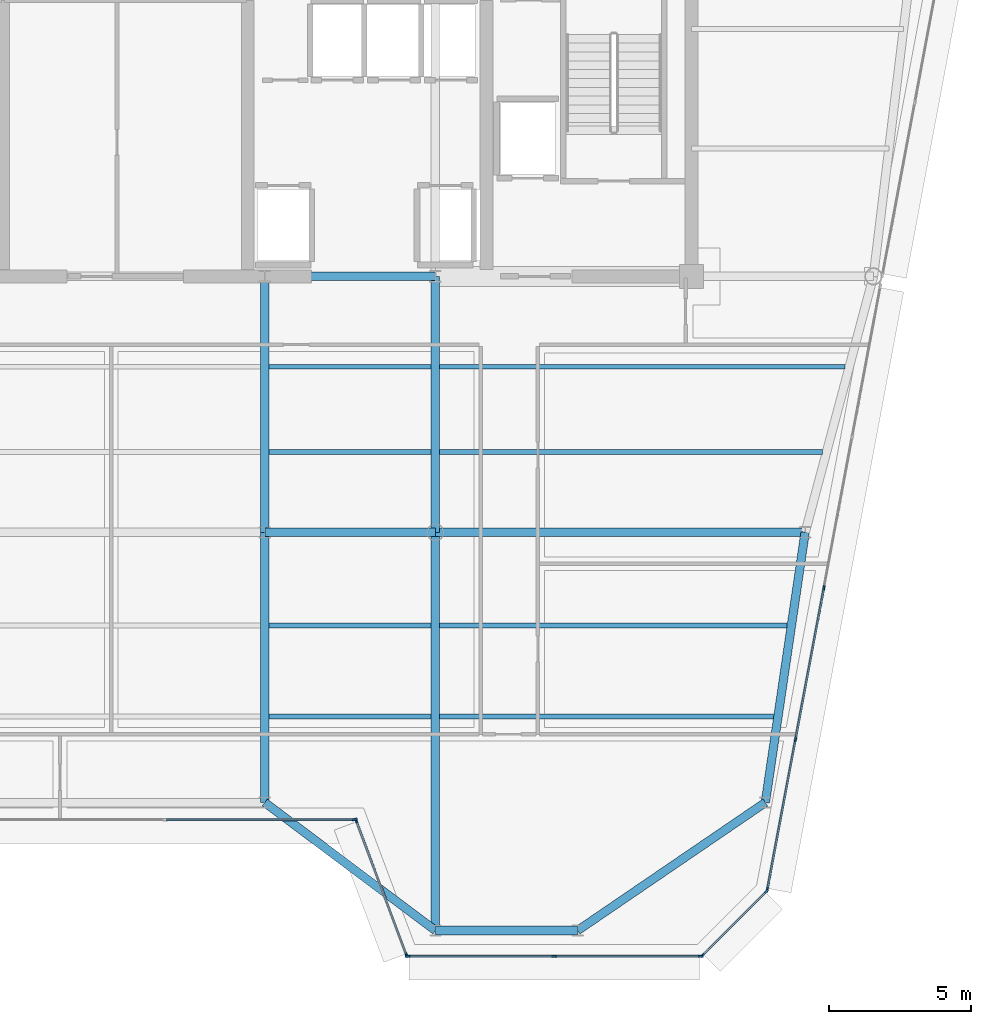
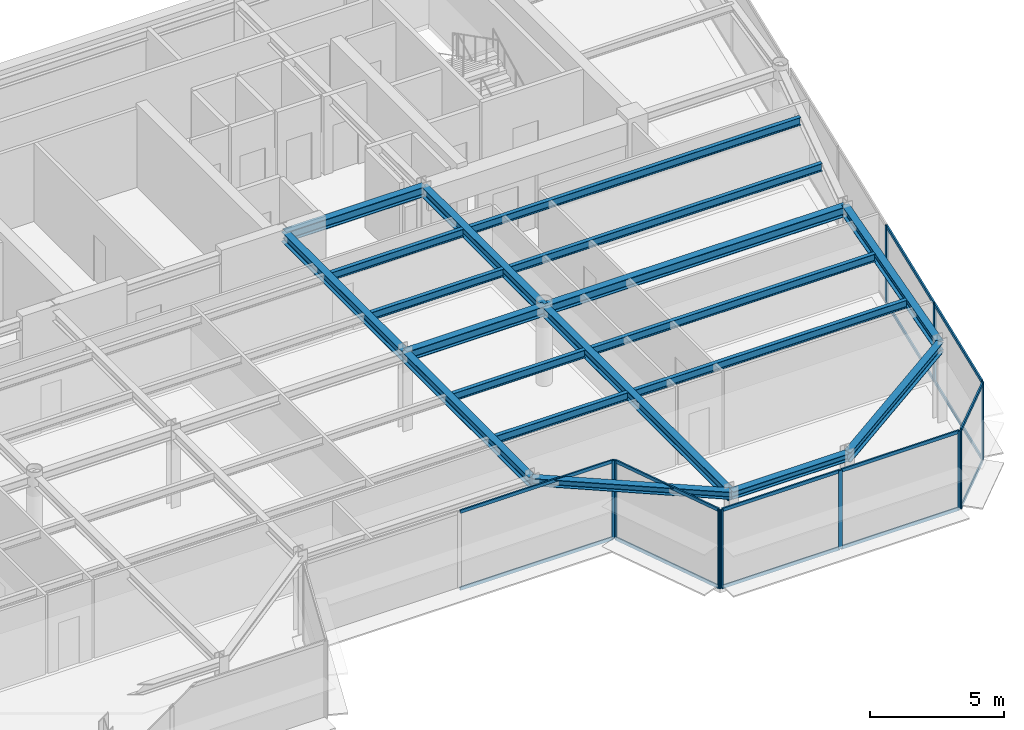
# One storey, part 6 of 20: 25 members, 19 beams, 5 elements without a shape of their own.
"""IFC4 building model written with IfcOpenShell, lengths in metres."""

from ifc_helpers import new_model, si_unit, direction, frame, origin, origin_2d, place, context, subcontext, project, spatial, rectangle, i_section, extrude, source, transform, mapped, material, layer, layer_set, material_profile, profile_set, type_object, element, aggregate, save


model = new_model("IFC4")

# Units and contexts
model_context = context("Model", 3, precision=1e-05, world=origin(), true_north=direction((0.0, 1.0)))
body_context = subcontext(model_context, "Body", "Model", "MODEL_VIEW")
ifc_project = project(units=[si_unit("LENGTHUNIT", "METRE"), si_unit("AREAUNIT", "SQUARE_METRE"), si_unit("VOLUMEUNIT", "CUBIC_METRE"), si_unit("PLANEANGLEUNIT", "RADIAN"), si_unit("MASSUNIT", "GRAM", prefix="KILO")], contexts=[model_context])

# Site, building, storey
site_placement = place(None, origin())
site = spatial("IfcSite", under=ifc_project, at=site_placement, CompositionType="ELEMENT")
building_placement = place(site_placement, origin())
building = spatial("IfcBuilding", under=site, at=building_placement, Name="Vaeldorn Concourse Tower", CompositionType="ELEMENT")
storey_placement = place(building_placement, frame((0.0, 0.0, 284.0)))
storey = spatial("IfcBuildingStorey", under=building, at=storey_placement, Name="L73", CompositionType="ELEMENT", Elevation=284.0)

# Beams
ifc_material_1 = material(Name="Steel S355", Category="steel")
ifc_material_profile_1 = material_profile(ifc_material_1, i_section(OverallWidth=0.300048828125, OverallDepth=0.449951171875, WebThickness=0.013916015625, FlangeThickness=0.02587890625, FilletRadius=0.027099609375, at=origin_2d()), Name="HEB 450")
ifc_profile_set_1 = profile_set([ifc_material_profile_1], Name="Steel S355")
beam_type_1 = type_object("IfcBeamType", Name="BM-PG-HEB450", PredefinedType="BEAM", material=ifc_profile_set_1)
shared_shape_1 = source(origin(), body_context, "Body", "SweptSolid", [
    extrude(i_section(OverallWidth=0.300048828125, OverallDepth=0.449951171875, WebThickness=0.013916015625, FlangeThickness=0.02587890625, FilletRadius=0.027099609375, at=origin_2d()), origin(), (0.0, 0.0, 1.0), 6.0),
])
for number, where, z_axis, x_axis, name in (
    (1, (39.0, 36.5, 3.35498046875), (1.0, 0.0, 0.0), (0.0, 1.0, 0.0), "Beam BM-L73-C-FC4-C-FC5"),
    (2, (39.0, 27.5, 3.35498046875), (1.0, 0.0, 0.0), (0.0, 1.0, 0.0), "Beam BM-L73-C-TW3-C-TW4"),
):
    element("IfcBeam", number, at=place(storey_placement, frame(where, z_axis=z_axis, x_axis=x_axis)), inside=storey, type_object=beam_type_1, Name=name, PredefinedType="BEAM", context=body_context, shape_type="MappedRepresentation", body=[
        mapped(shared_shape_1, transform((0.0, 0.0, 0.0), scale=1.0)),
    ])
ifc_material_profile_2 = material_profile(ifc_material_1, i_section(OverallWidth=0.169921875, OverallDepth=0.360107421875, WebThickness=0.008056640625, FlangeThickness=0.0126953125, FilletRadius=0.01806640625, at=origin_2d()), Name="IPE 360")
ifc_profile_set_2 = profile_set([ifc_material_profile_2], Name="Steel S355")
beam_type_2 = type_object("IfcBeamType", Name="BM-JS-IPE360", PredefinedType="JOIST", material=ifc_profile_set_2)
shared_shape_2 = source(origin(), body_context, "Body", "SweptSolid", [
    extrude(i_section(OverallWidth=0.169921875, OverallDepth=0.360107421875, WebThickness=0.008056640625, FlangeThickness=0.0126953125, FilletRadius=0.01806640625, at=origin_2d()), origin(), (0.0, 0.0, 1.0), 5.7001953125),
])
for number, where, z_axis, x_axis, name in (
    (3, (39.14990234375, 21.02001953125, 3.39990234375), (1.0, 0.0, 0.0), (0.0, 1.0, 0.0), "Beam JS-L73-E2-210"),
    (4, (39.14990234375, 24.219970703125, 3.39990234375), (1.0, 0.0, 0.0), (0.0, 1.0, 0.0), "Beam JS-L73-E2-242"),
    (5, (39.14990234375, 30.320068359375, 3.39990234375), (1.0, 0.0, 0.0), (0.0, 1.0, 0.0), "Beam JS-L73-E2-303"),
    (6, (39.14990234375, 33.320068359375, 3.39990234375), (1.0, 0.0, 0.0), (0.0, 1.0, 0.0), "Beam JS-L73-E2-333"),
):
    element("IfcBeam", number, at=place(storey_placement, frame(where, z_axis=z_axis, x_axis=x_axis)), inside=storey, type_object=beam_type_2, Name=name, PredefinedType="JOIST", context=body_context, shape_type="MappedRepresentation", body=[
        mapped(shared_shape_2, transform((0.0, 0.0, 0.0), scale=1.0)),
    ])
ifc_material_profile_3 = material_profile(ifc_material_1, i_section(OverallWidth=0.300048828125, OverallDepth=0.340087890625, WebThickness=0.011962890625, FlangeThickness=0.021484375, FilletRadius=0.027099609375, at=origin_2d()), Name="HEB 340")
ifc_profile_set_3 = profile_set([ifc_material_profile_3], Name="Steel S355")
beam_type_3 = type_object("IfcBeamType", Name="BM-SP-HEB340", PredefinedType="SPANDREL", material=ifc_profile_set_3)
shared_shape_3 = source(origin(), body_context, "Body", "SweptSolid", [
    extrude(i_section(OverallWidth=0.300048828125, OverallDepth=0.340087890625, WebThickness=0.011962890625, FlangeThickness=0.021484375, FilletRadius=0.027099609375, at=origin_2d()), origin(), (0.0, 0.0, 1.0), 5.0),
])
beam_1_placement = place(storey_placement, frame((45.0, 13.5, 3.409912109375), z_axis=(1.0, 0.0, 0.0), x_axis=(0.0, 1.0, 0.0)))
element("IfcBeam", 7, at=beam_1_placement, inside=storey, type_object=beam_type_3, Name="Beam BM-L73-C-SF5-C-SF6", PredefinedType="SPANDREL", context=body_context, shape_type="MappedRepresentation", body=[
    mapped(shared_shape_3, transform((0.0, 0.0, 0.0), scale=1.0)),
])
shared_shape_4 = source(origin(), body_context, "Body", "SweptSolid", [
    extrude(i_section(OverallWidth=0.300048828125, OverallDepth=0.340087890625, WebThickness=0.011962890625, FlangeThickness=0.021484375, FilletRadius=0.027099609375, at=origin_2d()), origin(), (0.0, 0.0, 1.0), 7.5),
])
beam_2_placement = place(storey_placement, frame((39.0, 18.0, 3.409912109375), z_axis=(0.8, -0.6, 0.0), x_axis=(0.6, 0.8, 0.0)))
element("IfcBeam", 8, at=beam_2_placement, inside=storey, type_object=beam_type_3, Name="Beam BM-L73-C-SF4-C-SF5", PredefinedType="SPANDREL", context=body_context, shape_type="MappedRepresentation", body=[
    mapped(shared_shape_4, transform((0.0, 0.0, 0.0), scale=1.0)),
])
shared_shape_5 = source(origin(), body_context, "Body", "SweptSolid", [
    extrude(i_section(OverallWidth=0.300048828125, OverallDepth=0.449951171875, WebThickness=0.013916015625, FlangeThickness=0.02587890625, FilletRadius=0.027099609375, at=origin_2d()), origin(), (0.0, 0.0, 1.0), 9.0),
])
for number, where, z_axis, x_axis, name in (
    (9, (39.0, 27.5, 3.35498046875), (0.0, 1.0, 0.0), (-1.0, 0.0, 0.0), "Beam BM-L73-C-TW3-C-FC4"),
    (10, (45.0, 27.5, 3.35498046875), (0.0, 1.0, 0.0), (-1.0, 0.0, 0.0), "Beam BM-L73-C-TW4-C-FC5"),
):
    element("IfcBeam", number, at=place(storey_placement, frame(where, z_axis=z_axis, x_axis=x_axis)), inside=storey, type_object=beam_type_1, Name=name, PredefinedType="BEAM", context=body_context, shape_type="MappedRepresentation", body=[
        mapped(shared_shape_5, transform((0.0, 0.0, 0.0), scale=1.0)),
    ])
shared_shape_6 = source(origin(), body_context, "Body", "SweptSolid", [
    extrude(i_section(OverallWidth=0.300048828125, OverallDepth=0.449951171875, WebThickness=0.013916015625, FlangeThickness=0.02587890625, FilletRadius=0.027099609375, at=origin_2d()), origin(), (0.0, 0.0, 1.0), 14.0),
])
beam_3_placement = place(storey_placement, frame((45.0, 13.5, 3.35498046875), z_axis=(0.0, 1.0, 0.0), x_axis=(-1.0, 0.0, 0.0)))
element("IfcBeam", 11, at=beam_3_placement, inside=storey, type_object=beam_type_1, Name="Beam BM-L73-C-SF5-C-TW4", PredefinedType="BEAM", context=body_context, shape_type="MappedRepresentation", body=[
    mapped(shared_shape_6, transform((0.0, 0.0, 0.0), scale=1.0)),
])
shared_shape_7 = source(origin(), body_context, "Body", "SweptSolid", [
    extrude(i_section(OverallWidth=0.300048828125, OverallDepth=0.449951171875, WebThickness=0.013916015625, FlangeThickness=0.02587890625, FilletRadius=0.027099609375, at=origin_2d()), origin(), (0.0, 0.0, 1.0), 13.0),
])
beam_4_placement = place(storey_placement, frame((45.0, 27.5, 3.35498046875), z_axis=(1.0, 0.0, 0.0), x_axis=(0.0, 1.0, 0.0)))
element("IfcBeam", 12, at=beam_4_placement, inside=storey, type_object=beam_type_1, Name="Beam BM-L73-C-TW4-C-FLE1", PredefinedType="BEAM", context=body_context, shape_type="MappedRepresentation", body=[
    mapped(shared_shape_7, transform((0.0, 0.0, 0.0), scale=1.0)),
])
shared_shape_8 = source(origin(), body_context, "Body", "SweptSolid", [
    extrude(i_section(OverallWidth=0.300048828125, OverallDepth=0.449951171875, WebThickness=0.013916015625, FlangeThickness=0.02587890625, FilletRadius=0.027099609375, at=origin_2d()), origin(), (0.0, 0.0, 1.0), 9.6025390625),
])
beam_5_placement = place(storey_placement, frame((58.0, 27.5, 3.35498046875), z_axis=(-0.145783835977, -0.989316467652, 0.0), x_axis=(0.989316467652, -0.145783835977, 0.0)))
element("IfcBeam", 13, at=beam_5_placement, inside=storey, type_object=beam_type_1, Name="Beam BM-L73-C-FLE1-C-FLE2", PredefinedType="BEAM", context=body_context, shape_type="MappedRepresentation", body=[
    mapped(shared_shape_8, transform((0.0, 0.0, 0.0), scale=1.0)),
])
shared_shape_9 = source(origin(), body_context, "Body", "SweptSolid", [
    extrude(i_section(OverallWidth=0.300048828125, OverallDepth=0.449951171875, WebThickness=0.013916015625, FlangeThickness=0.02587890625, FilletRadius=0.027099609375, at=origin_2d()), origin(), (0.0, 0.0, 1.0), 7.98828125),
])
beam_6_placement = place(storey_placement, frame((50.0, 13.5, 3.35498046875), z_axis=(0.826231222393, 0.56333113454, 0.0), x_axis=(-0.56333113454, 0.826231222393, 0.0)))
element("IfcBeam", 14, at=beam_6_placement, inside=storey, type_object=beam_type_1, Name="Beam BM-L73-C-SF6-C-FLE2", PredefinedType="BEAM", context=body_context, shape_type="MappedRepresentation", body=[
    mapped(shared_shape_9, transform((0.0, 0.0, 0.0), scale=1.0)),
])
shared_shape_10 = source(origin(), body_context, "Body", "SweptSolid", [
    extrude(i_section(OverallWidth=0.300048828125, OverallDepth=0.449951171875, WebThickness=0.013916015625, FlangeThickness=0.02587890625, FilletRadius=0.027099609375, at=origin_2d()), origin(), (0.0, 0.0, 1.0), 9.5),
])
beam_7_placement = place(storey_placement, frame((39.0, 18.0, 3.35498046875), z_axis=(0.0, 1.0, 0.0), x_axis=(-1.0, 0.0, 0.0)))
element("IfcBeam", 15, at=beam_7_placement, inside=storey, type_object=beam_type_1, Name="Beam BM-L73-C-SF4-C-TW3", PredefinedType="BEAM", context=body_context, shape_type="MappedRepresentation", body=[
    mapped(shared_shape_10, transform((0.0, 0.0, 0.0), scale=1.0)),
])
shared_shape_11 = source(origin(), body_context, "Body", "SweptSolid", [
    extrude(i_section(OverallWidth=0.169921875, OverallDepth=0.360107421875, WebThickness=0.008056640625, FlangeThickness=0.0126953125, FilletRadius=0.01806640625, at=origin_2d()), origin(), (0.0, 0.0, 1.0), 11.7451171875),
])
beam_8_placement = place(storey_placement, frame((45.14990234375, 21.02001953125, 3.39990234375), z_axis=(1.0, 0.0, 0.0), x_axis=(0.0, 1.0, 0.0)))
element("IfcBeam", 16, at=beam_8_placement, inside=storey, type_object=beam_type_2, Name="Beam JS-L73-E1-210", PredefinedType="JOIST", context=body_context, shape_type="MappedRepresentation", body=[
    mapped(shared_shape_11, transform((0.0, 0.0, 0.0), scale=1.0)),
])
shared_shape_12 = source(origin(), body_context, "Body", "SweptSolid", [
    extrude(i_section(OverallWidth=0.169921875, OverallDepth=0.360107421875, WebThickness=0.008056640625, FlangeThickness=0.0126953125, FilletRadius=0.01806640625, at=origin_2d()), origin(), (0.0, 0.0, 1.0), 12.216796875),
])
beam_9_placement = place(storey_placement, frame((45.14990234375, 24.219970703125, 3.39990234375), z_axis=(1.0, 0.0, 0.0), x_axis=(0.0, 1.0, 0.0)))
element("IfcBeam", 17, at=beam_9_placement, inside=storey, type_object=beam_type_2, Name="Beam JS-L73-E1-242", PredefinedType="JOIST", context=body_context, shape_type="MappedRepresentation", body=[
    mapped(shared_shape_12, transform((0.0, 0.0, 0.0), scale=1.0)),
])
shared_shape_13 = source(origin(), body_context, "Body", "SweptSolid", [
    extrude(i_section(OverallWidth=0.169921875, OverallDepth=0.360107421875, WebThickness=0.008056640625, FlangeThickness=0.0126953125, FilletRadius=0.01806640625, at=origin_2d()), origin(), (0.0, 0.0, 1.0), 13.4521484375),
])
beam_10_placement = place(storey_placement, frame((45.14990234375, 30.320068359375, 3.39990234375), z_axis=(1.0, 0.0, 0.0), x_axis=(0.0, 1.0, 0.0)))
element("IfcBeam", 18, at=beam_10_placement, inside=storey, type_object=beam_type_2, Name="Beam JS-L73-E1-303", PredefinedType="JOIST", context=body_context, shape_type="MappedRepresentation", body=[
    mapped(shared_shape_13, transform((0.0, 0.0, 0.0), scale=1.0)),
])
shared_shape_14 = source(origin(), body_context, "Body", "SweptSolid", [
    extrude(i_section(OverallWidth=0.169921875, OverallDepth=0.360107421875, WebThickness=0.008056640625, FlangeThickness=0.0126953125, FilletRadius=0.01806640625, at=origin_2d()), origin(), (0.0, 0.0, 1.0), 14.252197265625),
])
beam_11_placement = place(storey_placement, frame((45.14990234375, 33.320068359375, 3.39990234375), z_axis=(1.0, 0.0, 0.0), x_axis=(0.0, 1.0, 0.0)))
element("IfcBeam", 19, at=beam_11_placement, inside=storey, type_object=beam_type_2, Name="Beam JS-L73-E1-333", PredefinedType="JOIST", context=body_context, shape_type="MappedRepresentation", body=[
    mapped(shared_shape_14, transform((0.0, 0.0, 0.0), scale=1.0)),
])

# Curtain wall, members
ifc_material_2 = material(Name="Anodised Bronze Aluminium", Category="aluminium")
ifc_layer = layer(ifc_material_2, 0.179931640625)
ifc_layer_set = layer_set([ifc_layer], Name="Anodised Bronze Aluminium")
curtain_wall_type = type_object("IfcCurtainWallType", Name="CW-SYS-05", PredefinedType="NOTDEFINED", material=ifc_layer_set)
curtain_wall_1_placement = place(storey_placement, origin())
curtain_wall_1 = element("IfcCurtainWall", 20, at=curtain_wall_1_placement, inside=storey, type_object=curtain_wall_type, Name="Unitised Curtain Wall CW-L73-E04-1", PredefinedType="NOTDEFINED")
ifc_material_profile_4 = material_profile(ifc_material_2, rectangle(XDim=0.06494140625, YDim=0.14990234375, at=origin_2d()), Name="CWT 65x150")
ifc_profile_set_4 = profile_set([ifc_material_profile_4], Name="Anodised Bronze Aluminium")
member_type_1 = type_object("IfcMemberType", Name="CWT-BRONZE-150", PredefinedType="USERDEFINED", material=ifc_profile_set_4)
shared_shape_15 = source(origin(), body_context, "Body", "SweptSolid", [
    extrude(rectangle(XDim=0.06494140625, YDim=0.14990234375, at=origin_2d()), origin(), (0.0, 0.0, 1.0), 4.996337890625),
])
member_1_placement = place(storey_placement, frame((42.222900390625, 17.339111328125, 0.032470703125), z_axis=(0.351134151405, -0.936325161318, 0.0), x_axis=(0.936325161318, 0.351134151405, 0.0)))
member_1 = element("IfcMember", 21, at=member_1_placement, type_object=member_type_1, Name="CW-05 transom 1.1", ObjectType="TRANSOM", PredefinedType="USERDEFINED", context=body_context, shape_type="MappedRepresentation", body=[
    mapped(shared_shape_15, transform((0.0, 0.0, 0.0), scale=1.0)),
])
member_2_placement = place(storey_placement, frame((42.222900390625, 17.339111328125, 3.547607421875), z_axis=(0.351134151405, -0.936325161318, 0.0), x_axis=(0.936325161318, 0.351134151405, 0.0)))
member_2 = element("IfcMember", 22, at=member_2_placement, type_object=member_type_1, Name="CW-05 transom 1.2", ObjectType="TRANSOM", PredefinedType="USERDEFINED", context=body_context, shape_type="MappedRepresentation", body=[
    mapped(shared_shape_15, transform((0.0, 0.0, 0.0), scale=1.0)),
])

curtain_wall_2_placement = place(storey_placement, origin())
curtain_wall_2 = element("IfcCurtainWall", 23, at=curtain_wall_2_placement, inside=storey, type_object=curtain_wall_type, Name="Unitised Curtain Wall CW-L73-E03-1", PredefinedType="NOTDEFINED")
shared_shape_16 = source(origin(), body_context, "Body", "SweptSolid", [
    extrude(rectangle(XDim=0.06494140625, YDim=0.14990234375, at=origin_2d()), origin(), (0.0, 0.0, 1.0), 6.6025390625),
])
member_3_placement = place(storey_placement, frame((35.532470703125, 17.39990234375, 0.032470703125), z_axis=(1.0, 0.0, 0.0), x_axis=(0.0, 1.0, 0.0)))
member_3 = element("IfcMember", 24, at=member_3_placement, type_object=member_type_1, Name="CW-05 transom 2.1", ObjectType="TRANSOM", PredefinedType="USERDEFINED", context=body_context, shape_type="MappedRepresentation", body=[
    mapped(shared_shape_16, transform((0.0, 0.0, 0.0), scale=1.0)),
])
member_4_placement = place(storey_placement, frame((35.532470703125, 17.39990234375, 3.547607421875), z_axis=(1.0, 0.0, 0.0), x_axis=(0.0, 1.0, 0.0)))
member_4 = element("IfcMember", 25, at=member_4_placement, type_object=member_type_1, Name="CW-05 transom 2.2", ObjectType="TRANSOM", PredefinedType="USERDEFINED", context=body_context, shape_type="MappedRepresentation", body=[
    mapped(shared_shape_16, transform((0.0, 0.0, 0.0), scale=1.0)),
])

curtain_wall_3_placement = place(storey_placement, origin())
curtain_wall_3 = element("IfcCurtainWall", 26, at=curtain_wall_3_placement, inside=storey, type_object=curtain_wall_type, Name="Unitised Curtain Wall CW-L73-E06-1", PredefinedType="NOTDEFINED")
shared_shape_17 = source(origin(), body_context, "Body", "SweptSolid", [
    extrude(rectangle(XDim=0.06494140625, YDim=0.14990234375, at=origin_2d()), origin(), (0.0, 0.0, 1.0), 3.12255859375),
])
member_5_placement = place(storey_placement, frame((54.409912109375, 12.64599609375, 0.032470703125), z_axis=(0.707106781187, 0.707106781187, 0.0), x_axis=(-0.707106781187, 0.707106781187, 0.0)))
member_5 = element("IfcMember", 27, at=member_5_placement, type_object=member_type_1, Name="CW-05 transom 1.1", ObjectType="TRANSOM", PredefinedType="USERDEFINED", context=body_context, shape_type="MappedRepresentation", body=[
    mapped(shared_shape_17, transform((0.0, 0.0, 0.0), scale=1.0)),
])
member_6_placement = place(storey_placement, frame((54.409912109375, 12.64599609375, 3.547607421875), z_axis=(0.707106781187, 0.707106781187, 0.0), x_axis=(-0.707106781187, 0.707106781187, 0.0)))
member_6 = element("IfcMember", 28, at=member_6_placement, type_object=member_type_1, Name="CW-05 transom 1.2", ObjectType="TRANSOM", PredefinedType="USERDEFINED", context=body_context, shape_type="MappedRepresentation", body=[
    mapped(shared_shape_17, transform((0.0, 0.0, 0.0), scale=1.0)),
])

# Member
ifc_material_profile_5 = material_profile(ifc_material_2, rectangle(XDim=0.06494140625, YDim=0.169921875, at=origin_2d()), Name="CWM 65x170")
ifc_profile_set_5 = profile_set([ifc_material_profile_5], Name="Anodised Bronze Aluminium")
member_type_2 = type_object("IfcMemberType", Name="CWM-BRONZE-170", PredefinedType="MULLION", material=ifc_profile_set_5)
shared_shape_18 = source(origin(), body_context, "Body", "SweptSolid", [
    extrude(rectangle(XDim=0.06494140625, YDim=0.169921875, at=origin_2d()), origin(), (0.0, 0.0, 1.0), 3.580078125),
])
member_7_placement = place(storey_placement, frame((42.16748046875, 17.39990234375, 0.0), z_axis=(0.0, 0.0, 1.0), x_axis=(0.0, 1.0, 0.0)))
member_7 = element("IfcMember", 29, at=member_7_placement, type_object=member_type_2, Name="CW-05 mullion 3", PredefinedType="MULLION", context=body_context, shape_type="MappedRepresentation", body=[
    mapped(shared_shape_18, transform((0.0, 0.0, 0.0), scale=1.0)),
])

aggregate(curtain_wall_2, [member_7, member_3, member_4])

member_8_placement = place(storey_placement, frame((42.21142578125, 17.36962890625, 0.0), z_axis=(0.0, 0.0, 1.0), x_axis=(0.936329177566, 0.351123441595, 0.0)))
member_8 = element("IfcMember", 30, at=member_8_placement, type_object=member_type_2, Name="CW-05 mullion 1", PredefinedType="MULLION", context=body_context, shape_type="MappedRepresentation", body=[
    mapped(shared_shape_18, transform((0.0, 0.0, 0.0), scale=1.0)),
])

member_9_placement = place(storey_placement, frame((43.988525390625, 12.63037109375, 0.0), z_axis=(0.0, 0.0, 1.0), x_axis=(0.936329177566, 0.351123441595, 0.0)))
member_9 = element("IfcMember", 31, at=member_9_placement, type_object=member_type_2, Name="CW-05 mullion 2", PredefinedType="MULLION", context=body_context, shape_type="MappedRepresentation", body=[
    mapped(shared_shape_18, transform((0.0, 0.0, 0.0), scale=1.0)),
])

aggregate(curtain_wall_1, [member_8, member_9, member_1, member_2])

# Curtain wall, members
curtain_wall_4_placement = place(storey_placement, origin())
curtain_wall_4 = element("IfcCurtainWall", 32, at=curtain_wall_4_placement, inside=storey, type_object=curtain_wall_type, Name="Unitised Curtain Wall CW-L73-E05-1", PredefinedType="NOTDEFINED")
member_10_placement = place(storey_placement, frame((44.032470703125, 12.60009765625, 0.0), z_axis=(0.0, 0.0, 1.0), x_axis=(0.0, 1.0, 0.0)))
member_10 = element("IfcMember", 33, at=member_10_placement, type_object=member_type_2, Name="CW-05 mullion 1", PredefinedType="MULLION", context=body_context, shape_type="MappedRepresentation", body=[
    mapped(shared_shape_18, transform((0.0, 0.0, 0.0), scale=1.0)),
])
member_11_placement = place(storey_placement, frame((49.181884765625, 12.60009765625, 0.0), z_axis=(0.0, 0.0, 1.0), x_axis=(0.0, 1.0, 0.0)))
member_11 = element("IfcMember", 34, at=member_11_placement, type_object=member_type_2, Name="CW-05 mullion 2", PredefinedType="MULLION", context=body_context, shape_type="MappedRepresentation", body=[
    mapped(shared_shape_18, transform((0.0, 0.0, 0.0), scale=1.0)),
])
member_12_placement = place(storey_placement, frame((54.33154296875, 12.60009765625, 0.0), z_axis=(0.0, 0.0, 1.0), x_axis=(0.0, 1.0, 0.0)))
member_12 = element("IfcMember", 35, at=member_12_placement, type_object=member_type_2, Name="CW-05 mullion 3", PredefinedType="MULLION", context=body_context, shape_type="MappedRepresentation", body=[
    mapped(shared_shape_18, transform((0.0, 0.0, 0.0), scale=1.0)),
])

# Member
member_13_placement = place(storey_placement, frame((54.386962890625, 12.623046875, 0.0), z_axis=(0.0, 0.0, 1.0), x_axis=(-0.707106781187, 0.707106781187, 0.0)))
member_13 = element("IfcMember", 36, at=member_13_placement, type_object=member_type_2, Name="CW-05 mullion 1", PredefinedType="MULLION", context=body_context, shape_type="MappedRepresentation", body=[
    mapped(shared_shape_18, transform((0.0, 0.0, 0.0), scale=1.0)),
])

member_14_placement = place(storey_placement, frame((56.64111328125, 14.876953125, 0.0), z_axis=(0.0, 0.0, 1.0), x_axis=(-0.707106781187, 0.707106781187, 0.0)))
member_14 = element("IfcMember", 37, at=member_14_placement, type_object=member_type_2, Name="CW-05 mullion 2", PredefinedType="MULLION", context=body_context, shape_type="MappedRepresentation", body=[
    mapped(shared_shape_18, transform((0.0, 0.0, 0.0), scale=1.0)),
])

aggregate(curtain_wall_3, [member_13, member_14, member_5, member_6])

# Curtain wall, members
curtain_wall_5_placement = place(storey_placement, origin())
curtain_wall_5 = element("IfcCurtainWall", 38, at=curtain_wall_5_placement, inside=storey, type_object=curtain_wall_type, Name="Unitised Curtain Wall CW-L73-E07-1", PredefinedType="NOTDEFINED")
member_15_placement = place(storey_placement, frame((56.669921875, 14.931884765625, 0.0), z_axis=(0.0, 0.0, 1.0), x_axis=(-0.982880027444, 0.184246714088, 0.0)))
member_15 = element("IfcMember", 39, at=member_15_placement, type_object=member_type_2, Name="CW-05 mullion 1", PredefinedType="MULLION", context=body_context, shape_type="MappedRepresentation", body=[
    mapped(shared_shape_18, transform((0.0, 0.0, 0.0), scale=1.0)),
])
member_16_placement = place(storey_placement, frame((57.66162109375, 20.22119140625, 0.0), z_axis=(0.0, 0.0, 1.0), x_axis=(-0.982880027444, 0.184246714088, 0.0)))
member_16 = element("IfcMember", 40, at=member_16_placement, type_object=member_type_2, Name="CW-05 mullion 2", PredefinedType="MULLION", context=body_context, shape_type="MappedRepresentation", body=[
    mapped(shared_shape_18, transform((0.0, 0.0, 0.0), scale=1.0)),
])
member_17_placement = place(storey_placement, frame((58.658935546875, 25.54248046875, 0.0), z_axis=(0.0, 0.0, 1.0), x_axis=(-0.982880027444, 0.184246714088, 0.0)))
member_17 = element("IfcMember", 41, at=member_17_placement, type_object=member_type_2, Name="CW-05 mullion 3", PredefinedType="MULLION", context=body_context, shape_type="MappedRepresentation", body=[
    mapped(shared_shape_18, transform((0.0, 0.0, 0.0), scale=1.0)),
])
shared_shape_19 = source(origin(), body_context, "Body", "SweptSolid", [
    extrude(rectangle(XDim=0.06494140625, YDim=0.14990234375, at=origin_2d()), origin(), (0.0, 0.0, 1.0), 5.31640625),
])
member_18_placement = place(storey_placement, frame((56.676025390625, 14.9638671875, 0.032470703125), z_axis=(0.184241399207, 0.982881023735, 0.0), x_axis=(-0.982881023735, 0.184241399207, 0.0)))
member_18 = element("IfcMember", 42, at=member_18_placement, type_object=member_type_1, Name="CW-05 transom 1.1", ObjectType="TRANSOM", PredefinedType="USERDEFINED", context=body_context, shape_type="MappedRepresentation", body=[
    mapped(shared_shape_19, transform((0.0, 0.0, 0.0), scale=1.0)),
])
member_19_placement = place(storey_placement, frame((56.676025390625, 14.9638671875, 3.547607421875), z_axis=(0.184241399207, 0.982881023735, 0.0), x_axis=(-0.982881023735, 0.184241399207, 0.0)))
member_19 = element("IfcMember", 43, at=member_19_placement, type_object=member_type_1, Name="CW-05 transom 1.2", ObjectType="TRANSOM", PredefinedType="USERDEFINED", context=body_context, shape_type="MappedRepresentation", body=[
    mapped(shared_shape_19, transform((0.0, 0.0, 0.0), scale=1.0)),
])
shared_shape_20 = source(origin(), body_context, "Body", "SweptSolid", [
    extrude(rectangle(XDim=0.06494140625, YDim=0.14990234375, at=origin_2d()), origin(), (0.0, 0.0, 1.0), 5.348876953125),
])
member_20_placement = place(storey_placement, frame((57.66748046875, 20.253173828125, 0.032470703125), z_axis=(0.184260976912, 0.982877353685, 0.0), x_axis=(-0.982877353685, 0.184260976912, 0.0)))
member_20 = element("IfcMember", 44, at=member_20_placement, type_object=member_type_1, Name="CW-05 transom 2.1", ObjectType="TRANSOM", PredefinedType="USERDEFINED", context=body_context, shape_type="MappedRepresentation", body=[
    mapped(shared_shape_20, transform((0.0, 0.0, 0.0), scale=1.0)),
])
member_21_placement = place(storey_placement, frame((57.66748046875, 20.253173828125, 3.547607421875), z_axis=(0.184260976912, 0.982877353685, 0.0), x_axis=(-0.982877353685, 0.184260976912, 0.0)))
member_21 = element("IfcMember", 45, at=member_21_placement, type_object=member_type_1, Name="CW-05 transom 2.2", ObjectType="TRANSOM", PredefinedType="USERDEFINED", context=body_context, shape_type="MappedRepresentation", body=[
    mapped(shared_shape_20, transform((0.0, 0.0, 0.0), scale=1.0)),
])
aggregate(curtain_wall_5, [member_15, member_16, member_17, member_18, member_19, member_20, member_21])

# Member
shared_shape_21 = source(origin(), body_context, "Body", "SweptSolid", [
    extrude(rectangle(XDim=0.06494140625, YDim=0.14990234375, at=origin_2d()), origin(), (0.0, 0.0, 1.0), 5.08447265625),
])
member_22_placement = place(storey_placement, frame((44.06494140625, 12.60009765625, 0.032470703125), z_axis=(1.0, 0.0, 0.0), x_axis=(0.0, 1.0, 0.0)))
member_22 = element("IfcMember", 46, at=member_22_placement, type_object=member_type_1, Name="CW-05 transom 1.1", ObjectType="TRANSOM", PredefinedType="USERDEFINED", context=body_context, shape_type="MappedRepresentation", body=[
    mapped(shared_shape_21, transform((0.0, 0.0, 0.0), scale=1.0)),
])

member_23_placement = place(storey_placement, frame((44.06494140625, 12.60009765625, 3.547607421875), z_axis=(1.0, 0.0, 0.0), x_axis=(0.0, 1.0, 0.0)))
member_23 = element("IfcMember", 47, at=member_23_placement, type_object=member_type_1, Name="CW-05 transom 1.2", ObjectType="TRANSOM", PredefinedType="USERDEFINED", context=body_context, shape_type="MappedRepresentation", body=[
    mapped(shared_shape_21, transform((0.0, 0.0, 0.0), scale=1.0)),
])

member_24_placement = place(storey_placement, frame((49.214599609375, 12.60009765625, 0.032470703125), z_axis=(1.0, 0.0, 0.0), x_axis=(0.0, 1.0, 0.0)))
member_24 = element("IfcMember", 48, at=member_24_placement, type_object=member_type_1, Name="CW-05 transom 2.1", ObjectType="TRANSOM", PredefinedType="USERDEFINED", context=body_context, shape_type="MappedRepresentation", body=[
    mapped(shared_shape_21, transform((0.0, 0.0, 0.0), scale=1.0)),
])

member_25_placement = place(storey_placement, frame((49.214599609375, 12.60009765625, 3.547607421875), z_axis=(1.0, 0.0, 0.0), x_axis=(0.0, 1.0, 0.0)))
member_25 = element("IfcMember", 49, at=member_25_placement, type_object=member_type_1, Name="CW-05 transom 2.2", ObjectType="TRANSOM", PredefinedType="USERDEFINED", context=body_context, shape_type="MappedRepresentation", body=[
    mapped(shared_shape_21, transform((0.0, 0.0, 0.0), scale=1.0)),
])

aggregate(curtain_wall_4, [member_10, member_11, member_12, member_22, member_23, member_24, member_25])

save(model, "model.ifc")
